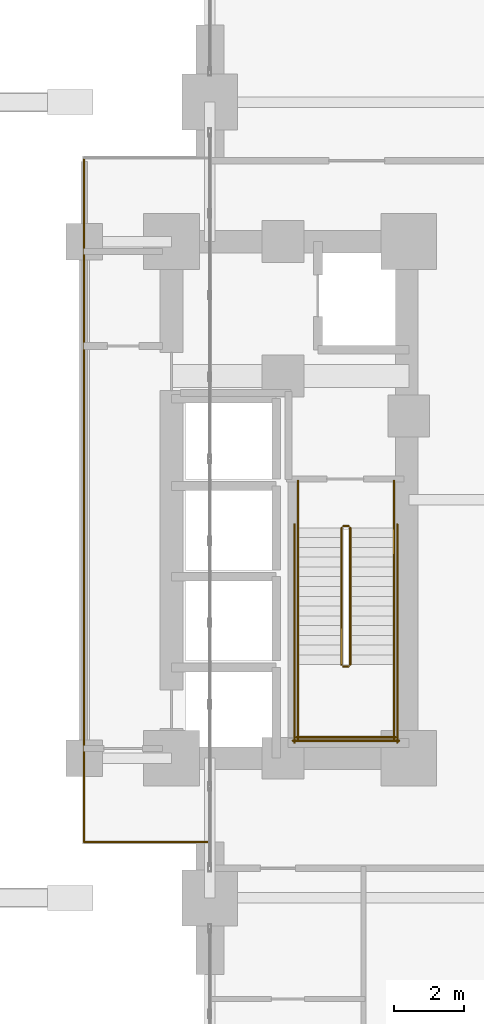
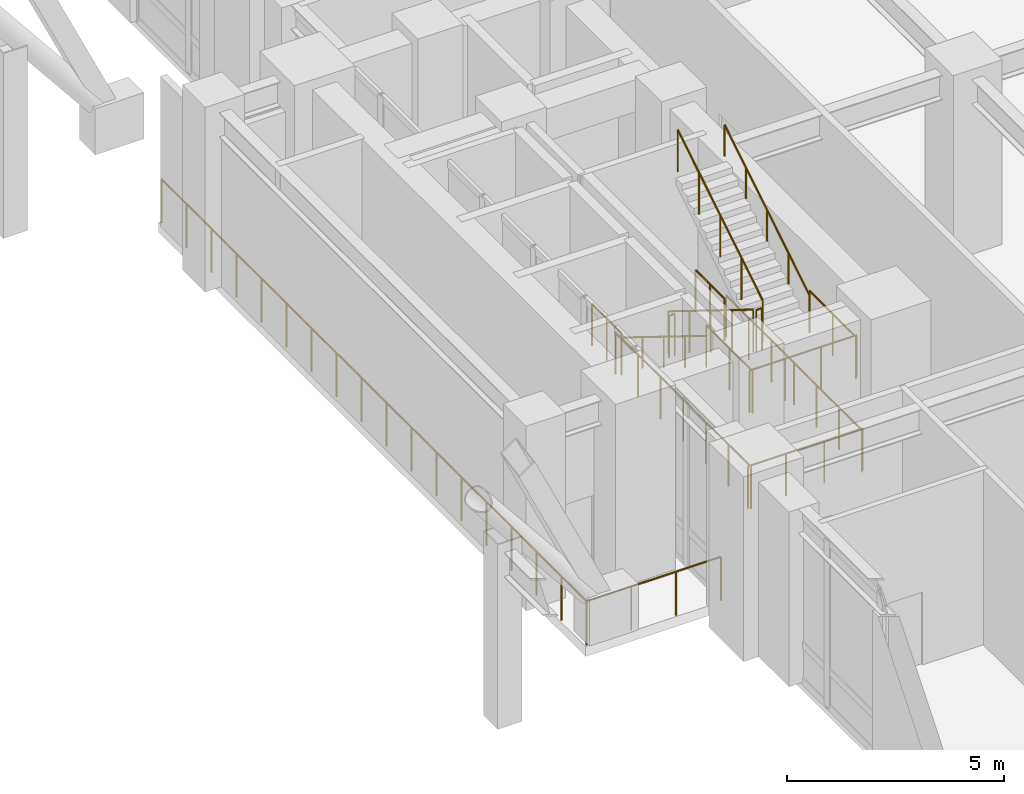
# One storey, part 24 of 26: 16 railings.
"""IFC4 building model written with IfcOpenShell, lengths in metres."""

import ifcopenshell
import ifcopenshell.guid

model = None  # the IFC model being written
_history = None  # IfcOwnerHistory: only IFC2X3 demands one
_inside = {}  # id of a spatial element -> (the spatial element, [elements in it])
_under = {}  # id of a project, library or spatial element -> (it, [spatial elements below it])
_declared = {}  # id of a project -> (the project, [libraries it declares])
_typed = {}  # id of a type object -> (the type object, [elements of that type])
_made_of = {}  # id of a material, layer set ... -> (it, [elements and type objects made of it])


def new_model(schema):
    """Start an empty IFC model of exactly this schema.

    Asked for "IFC4X3", IfcOpenShell would pick the latest addendum, in which some entities
    have other attributes; the version numbers below select the first issue.
    IFC2X3 requires an IfcOwnerHistory on every rooted entity: one is made here for all.
    """
    global model, _history
    if schema == "IFC4X3":
        model = ifcopenshell.file(schema_version=(4, 3, 0, 0))
    else:
        model = ifcopenshell.file(schema=schema)
    _inside.clear()
    _under.clear()
    _declared.clear()
    _typed.clear()
    _made_of.clear()
    _history = None
    if model.schema == "IFC2X3":
        org = make("IfcOrganization", Name="unknown")
        user = make(
            "IfcPersonAndOrganization",
            ThePerson=make("IfcPerson", FamilyName="unknown"),
            TheOrganization=org,
        )
        app = make(
            "IfcApplication",
            ApplicationDeveloper=org,
            Version="unknown",
            ApplicationFullName="unknown",
            ApplicationIdentifier="unknown",
        )
        _history = make(
            "IfcOwnerHistory",
            OwningUser=user,
            OwningApplication=app,
            ChangeAction="ADDED",
            CreationDate=0,
        )
    return model


def make(cls, **values):
    """One entity of the class cls with the attributes given. An attribute that is None is left unset."""
    return model.create_entity(
        cls, **{name: value for name, value in values.items() if value is not None}
    )


def rooted(cls, **values):
    """An entity with a GlobalId (a new one), such as an element, a storey or a relation."""
    return make(cls, GlobalId=ifcopenshell.guid.new(), OwnerHistory=_history, **values)


def si_unit(unit_type, name, prefix=None):
    """IfcSIUnit, for example si_unit("LENGTHUNIT", "METRE", prefix="MILLI")."""
    return make("IfcSIUnit", UnitType=unit_type, Prefix=prefix, Name=name)


def assignment(units):
    """IfcUnitAssignment: the units of a project."""
    return None if units is None else make("IfcUnitAssignment", Units=units)


def point(xyz):
    """IfcCartesianPoint."""
    return None if xyz is None else make("IfcCartesianPoint", Coordinates=xyz)


def direction(xyz):
    """IfcDirection."""
    return None if xyz is None else make("IfcDirection", DirectionRatios=xyz)


def frame(location, z_axis=None, x_axis=None):
    """IfcAxis2Placement3D, a coordinate frame: its origin and axes. An axis left out is left unset."""
    return make(
        "IfcAxis2Placement3D",
        Location=point(location),
        Axis=direction(z_axis),
        RefDirection=direction(x_axis),
    )


def frame_2d(location, x_axis=None):
    """IfcAxis2Placement2D, a coordinate frame in the plane: its origin and x axis."""
    return make(
        "IfcAxis2Placement2D", Location=point(location), RefDirection=direction(x_axis)
    )


def origin():
    """The frame at (0, 0, 0) with its axes left unset."""
    return frame((0.0, 0.0, 0.0))


def origin_2d():
    """The frame at (0, 0) in the plane with its x axis left unset."""
    return frame_2d((0.0, 0.0))


def place(relative_to, where):
    """IfcLocalPlacement: puts the frame where relative to a parent placement (None: the world)."""
    return make(
        "IfcLocalPlacement", PlacementRelTo=relative_to, RelativePlacement=where
    )


def context(
    kind, dimensions, precision=None, world=None, true_north=None, identifier=None
):
    """IfcGeometricRepresentationContext, for example the 3D "Model" context."""
    return make(
        "IfcGeometricRepresentationContext",
        ContextIdentifier=identifier,
        ContextType=kind,
        CoordinateSpaceDimension=dimensions,
        Precision=precision,
        WorldCoordinateSystem=world,
        TrueNorth=true_north,
    )


def subcontext(parent, identifier, kind, view, scale=None):
    """IfcGeometricRepresentationSubContext, for example "Body" below "Model"."""
    return make(
        "IfcGeometricRepresentationSubContext",
        ContextIdentifier=identifier,
        ContextType=kind,
        ParentContext=parent,
        TargetScale=scale,
        TargetView=view,
    )


def project(units=None, contexts=None):
    """IfcProject with its units and contexts."""
    return rooted(
        "IfcProject",
        Name="project",
        RepresentationContexts=contexts,
        UnitsInContext=assignment(units),
    )


def spatial(cls, under=None, at=None, **own):
    """A site, building, storey or space (cls), placed at a placement, below another one or the project."""
    s = rooted(cls, ObjectPlacement=at, **own)
    if under is not None:
        _under.setdefault(under.id(), (under, []))[1].append(s)
    return s


def profile(cls, at=None, kind="AREA", **sizes):
    """A parametric profile (cls). Its sizes go by their IFC names, for example OverallWidth=200.0."""
    return make(cls, ProfileType=kind, Position=at, **sizes)


def circle(**sizes):
    """IfcCircleProfileDef."""
    return profile("IfcCircleProfileDef", **sizes)


def extrude(swept, where, along, depth):
    """IfcExtrudedAreaSolid: the profile swept, set in the frame where, extruded along a direction by depth."""
    return make(
        "IfcExtrudedAreaSolid",
        SweptArea=swept,
        Position=where,
        ExtrudedDirection=direction(along),
        Depth=depth,
    )


def shape(context_of_items, identifier, shape_type, items):
    """IfcShapeRepresentation: the items that make up one representation, for example the "Body"."""
    return make(
        "IfcShapeRepresentation",
        ContextOfItems=context_of_items,
        RepresentationIdentifier=identifier,
        RepresentationType=shape_type,
        Items=items,
    )


def material(Name=None, Category=None):
    """IfcMaterial."""
    return make("IfcMaterial", Name=Name, Category=Category)


def made_of(thing, what):
    """Note that an element or type object is made of a material, layer set ...; save() writes the relation."""
    if what is not None:
        _made_of.setdefault(what.id(), (what, []))[1].append(thing)
    return thing


def type_object(cls, material=None, **own):
    """A type object (cls), such as IfcWallType, which elements share."""
    return made_of(rooted(cls, **own), material)


def element(
    cls,
    number,
    at=None,
    inside=None,
    cuts=None,
    type_object=None,
    material=None,
    context=None,
    identifier="Body",
    shape_type=None,
    held_by="IfcProductDefinitionShape",
    body=None,
    shapes=None,
    **own,
):
    """One element of the class cls, such as IfcWall. Its Tag is "e" and its number.

    at: its placement. inside: the storey or other place that contains it. cuts: it is an
    opening in that element (IfcRelVoidsElement). A single representation is given by context,
    identifier, shape_type and body (its items); several are given by shapes. held_by: the class
    of the entity that holds the representations. save() writes the other relations.
    """
    e = rooted(cls, Tag="e%d" % number, ObjectPlacement=at, **own)
    if body is not None:
        shapes = [shape(context, identifier, shape_type, body)]
    if shapes is not None:
        e.Representation = make(held_by, Representations=shapes)
    if inside is not None:
        _inside.setdefault(inside.id(), (inside, []))[1].append(e)
    if cuts is not None:
        rooted(
            "IfcRelVoidsElement", RelatingBuildingElement=cuts, RelatedOpeningElement=e
        )
    if type_object is not None:
        _typed.setdefault(type_object.id(), (type_object, []))[1].append(e)
    return made_of(e, material)


def aggregate(whole, parts):
    """IfcRelAggregates: a whole, such as a stair, and the parts it consists of."""
    return rooted("IfcRelAggregates", RelatingObject=whole, RelatedObjects=parts)


def save(model, path):
    """Write the relations noted so far, then the file.

    IfcRelAggregates (storeys below a building ...), IfcRelContainedInSpatialStructure (elements
    in a storey), IfcRelDefinesByType, IfcRelAssociatesMaterial and IfcRelDeclares: one each for
    every whole, place, type object, material and project.
    """
    for whole, parts in _under.values():
        aggregate(whole, parts)
    for where, things in _inside.values():
        rooted(
            "IfcRelContainedInSpatialStructure",
            RelatedElements=things,
            RelatingStructure=where,
        )
    for kind, things in _typed.values():
        rooted("IfcRelDefinesByType", RelatedObjects=things, RelatingType=kind)
    for what, things in _made_of.values():
        rooted("IfcRelAssociatesMaterial", RelatedObjects=things, RelatingMaterial=what)
    for by, libraries in _declared.values():
        rooted("IfcRelDeclares", RelatingContext=by, RelatedDefinitions=libraries)
    model.write(path)


model = new_model("IFC4")

# Units and contexts
model_context = context("Model", 3, precision=1e-05, world=origin(), true_north=direction((0.0, 1.0)))
body_context = subcontext(model_context, "Body", "Model", "MODEL_VIEW")
ifc_project = project(units=[si_unit("LENGTHUNIT", "METRE"), si_unit("AREAUNIT", "SQUARE_METRE"), si_unit("VOLUMEUNIT", "CUBIC_METRE"), si_unit("PLANEANGLEUNIT", "RADIAN"), si_unit("MASSUNIT", "GRAM", prefix="KILO")], contexts=[model_context])

# Site, building, storey
site_placement = place(None, origin())
site = spatial("IfcSite", under=ifc_project, at=site_placement, CompositionType="ELEMENT")
building_placement = place(site_placement, origin())
building = spatial("IfcBuilding", under=site, at=building_placement, Name="Voryun Gate Residences", CompositionType="ELEMENT")
storey_placement = place(building_placement, frame((0.0, 0.0, 10.39990234375)))
storey = spatial("IfcBuildingStorey", under=building, at=storey_placement, Name="L02", CompositionType="ELEMENT", Elevation=10.39990234375)

# Railings
ifc_material_1 = material(Name="Painted steel", Category="steel")
railing_type_1 = type_object("IfcRailingType", Name="RAIL_STAIR_GUARD_1200", PredefinedType="GUARDRAIL", material=ifc_material_1)
railing_1_placement = place(storey_placement, frame((17.27490234375, -0.800048828125, 0.17333984375)))
element("IfcRailing", 1, at=railing_1_placement, inside=storey, type_object=railing_type_1, Name="L02 ST-E1 stair guard 1", PredefinedType="GUARDRAIL", context=body_context, shape_type="SweptSolid", body=[
    extrude(circle(Radius=0.02392578125, at=origin_2d()), frame((0.0, 0.0, 1.17578125), z_axis=(0.0, -0.850251603719, 0.526376491091), x_axis=(1.0, 0.0, 0.0)), (0.0, 0.0, 1.0), 4.6103515625),
    extrude(circle(Radius=0.02099609375, at=origin_2d()), origin(), (0.0, 0.0, 1.0), 1.15185546875),
    extrude(circle(Radius=0.02099609375, at=origin_2d()), frame((0.0, -0.97998046875, 0.606689453125)), (0.0, 0.0, 1.0), 1.15185546875),
    extrude(circle(Radius=0.02099609375, at=origin_2d()), frame((0.0, -1.9599609375, 1.21337890625)), (0.0, 0.0, 1.0), 1.15185546875),
    extrude(circle(Radius=0.02099609375, at=origin_2d()), frame((0.0, -2.93994140625, 1.820068359375)), (0.0, 0.0, 1.0), 1.15185546875),
    extrude(circle(Radius=0.02099609375, at=origin_2d()), frame((0.0, -3.919921875, 2.4267578125)), (0.0, 0.0, 1.0), 1.15185546875),
])
railing_2_placement = place(storey_placement, frame((17.324951171875, -4.77001953125, 2.60009765625)))
element("IfcRailing", 2, at=railing_2_placement, inside=storey, type_object=railing_type_1, Name="L02 ST-E1 stair guard 2", PredefinedType="GUARDRAIL", context=body_context, shape_type="SweptSolid", body=[
    extrude(circle(Radius=0.02392578125, at=origin_2d()), frame((0.0, 0.0, 1.17578125), z_axis=(1.0, 0.0, 0.0), x_axis=(0.0, 1.0, 0.0)), (0.0, 0.0, 1.0), 0.150146484375),
    extrude(circle(Radius=0.02099609375, at=origin_2d()), origin(), (0.0, 0.0, 1.0), 1.15185546875),
    extrude(circle(Radius=0.02099609375, at=origin_2d()), frame((0.150146484375, 0.0, 0.0)), (0.0, 0.0, 1.0), 1.15185546875),
])
for number, where, name in (
    (3, (16.02490234375, -4.719970703125, 2.60009765625), "L02 ST-E1 stair guard 3"),
    (4, (18.77490234375, -4.719970703125, 2.60009765625), "L02 ST-E1 stair guard 4"),
):
    element("IfcRailing", number, at=place(storey_placement, frame(where)), inside=storey, type_object=railing_type_1, Name=name, PredefinedType="GUARDRAIL", context=body_context, shape_type="SweptSolid", body=[
        extrude(circle(Radius=0.02392578125, at=origin_2d()), frame((0.0, 0.0, 1.17578125), z_axis=(0.0, -1.0, 0.0), x_axis=(1.0, 0.0, 0.0)), (0.0, 0.0, 1.0), 2.130126953125),
        extrude(circle(Radius=0.02099609375, at=origin_2d()), origin(), (0.0, 0.0, 1.0), 1.15185546875),
        extrude(circle(Radius=0.02099609375, at=origin_2d()), frame((0.0, -1.06494140625, 0.0)), (0.0, 0.0, 1.0), 1.15185546875),
        extrude(circle(Radius=0.02099609375, at=origin_2d()), frame((0.0, -2.130126953125, 0.0)), (0.0, 0.0, 1.0), 1.15185546875),
    ])
railing_3_placement = place(storey_placement, frame((15.97509765625, -6.800048828125, 2.60009765625)))
element("IfcRailing", 5, at=railing_3_placement, inside=storey, type_object=railing_type_1, Name="L02 ST-E1 stair guard 5", PredefinedType="GUARDRAIL", context=body_context, shape_type="SweptSolid", body=[
    extrude(circle(Radius=0.02392578125, at=origin_2d()), frame((0.0, 0.0, 1.17578125), z_axis=(1.0, 0.0, 0.0), x_axis=(0.0, 1.0, 0.0)), (0.0, 0.0, 1.0), 2.849853515625),
    extrude(circle(Radius=0.02099609375, at=origin_2d()), origin(), (0.0, 0.0, 1.0), 1.15185546875),
    extrude(circle(Radius=0.02099609375, at=origin_2d()), frame((0.949951171875, 0.0, 0.0)), (0.0, 0.0, 1.0), 1.15185546875),
    extrude(circle(Radius=0.02099609375, at=origin_2d()), frame((1.89990234375, 0.0, 0.0)), (0.0, 0.0, 1.0), 1.15185546875),
    extrude(circle(Radius=0.02099609375, at=origin_2d()), frame((2.849853515625, 0.0, 0.0)), (0.0, 0.0, 1.0), 1.15185546875),
])
railing_4_placement = place(storey_placement, frame((17.52490234375, -4.719970703125, 2.7734375)))
element("IfcRailing", 6, at=railing_4_placement, inside=storey, type_object=railing_type_1, Name="L02 ST-E1 stair guard 6", PredefinedType="GUARDRAIL", context=body_context, shape_type="SweptSolid", body=[
    extrude(circle(Radius=0.02392578125, at=origin_2d()), frame((0.0, 0.0, 1.17578125), z_axis=(0.0, 0.850251603719, 0.526376491091), x_axis=(-1.0, 0.0, 0.0)), (0.0, 0.0, 1.0), 4.6103515625),
    extrude(circle(Radius=0.02099609375, at=origin_2d()), origin(), (0.0, 0.0, 1.0), 1.15185546875),
    extrude(circle(Radius=0.02099609375, at=origin_2d()), frame((0.0, 0.97998046875, 0.606689453125)), (0.0, 0.0, 1.0), 1.15185546875),
    extrude(circle(Radius=0.02099609375, at=origin_2d()), frame((0.0, 1.9599609375, 1.21337890625)), (0.0, 0.0, 1.0), 1.15185546875),
    extrude(circle(Radius=0.02099609375, at=origin_2d()), frame((0.0, 2.93994140625, 1.820068359375)), (0.0, 0.0, 1.0), 1.15185546875),
    extrude(circle(Radius=0.02099609375, at=origin_2d()), frame((0.0, 3.919921875, 2.4267578125)), (0.0, 0.0, 1.0), 1.15185546875),
])
railing_5_placement = place(storey_placement, frame((17.324951171875, -0.75, 0.0)))
element("IfcRailing", 7, at=railing_5_placement, inside=storey, type_object=railing_type_1, Name="L02 ST-E1 stair guard 7", PredefinedType="GUARDRAIL", context=body_context, shape_type="SweptSolid", body=[
    extrude(circle(Radius=0.02392578125, at=origin_2d()), frame((0.0, 0.0, 1.17578125), z_axis=(1.0, 0.0, 0.0), x_axis=(0.0, 1.0, 0.0)), (0.0, 0.0, 1.0), 0.150146484375),
    extrude(circle(Radius=0.02099609375, at=origin_2d()), origin(), (0.0, 0.0, 1.0), 1.15185546875),
    extrude(circle(Radius=0.02099609375, at=origin_2d()), frame((0.150146484375, 0.0, 0.0)), (0.0, 0.0, 1.0), 1.15185546875),
])
for number, where, name in (
    (8, (16.02490234375, 0.550048828125, 0.0), "L02 ST-E1 stair guard 8"),
    (9, (18.77490234375, 0.550048828125, 0.0), "L02 ST-E1 stair guard 9"),
):
    element("IfcRailing", number, at=place(storey_placement, frame(where)), inside=storey, type_object=railing_type_1, Name=name, PredefinedType="GUARDRAIL", context=body_context, shape_type="SweptSolid", body=[
        extrude(circle(Radius=0.02392578125, at=origin_2d()), frame((0.0, 0.0, 1.17578125), z_axis=(0.0, -1.0, 0.0), x_axis=(1.0, 0.0, 0.0)), (0.0, 0.0, 1.0), 1.35009765625),
        extrude(circle(Radius=0.02099609375, at=origin_2d()), origin(), (0.0, 0.0, 1.0), 1.15185546875),
        extrude(circle(Radius=0.02099609375, at=origin_2d()), frame((0.0, -0.675048828125, 0.0)), (0.0, 0.0, 1.0), 1.15185546875),
        extrude(circle(Radius=0.02099609375, at=origin_2d()), frame((0.0, -1.35009765625, 0.0)), (0.0, 0.0, 1.0), 1.15185546875),
    ])
for number, where, name in (
    (10, (15.925048828125, -0.699951171875, 0.0), "L02 ST-E1 stair guard 10"),
    (11, (18.875, -0.699951171875, 0.0), "L02 ST-E1 stair guard 11"),
):
    element("IfcRailing", number, at=place(storey_placement, frame(where)), inside=storey, type_object=railing_type_1, Name=name, PredefinedType="GUARDRAIL", context=body_context, shape_type="SweptSolid", body=[
        extrude(circle(Radius=0.02392578125, at=origin_2d()), frame((0.0, 0.0, 1.17578125), z_axis=(0.0, -1.0, 0.0), x_axis=(1.0, 0.0, 0.0)), (0.0, 0.0, 1.0), 6.25),
        extrude(circle(Radius=0.02099609375, at=origin_2d()), origin(), (0.0, 0.0, 1.0), 1.15185546875),
        extrude(circle(Radius=0.02099609375, at=origin_2d()), frame((0.0, -1.041748046875, 0.0)), (0.0, 0.0, 1.0), 1.15185546875),
        extrude(circle(Radius=0.02099609375, at=origin_2d()), frame((0.0, -2.083251953125, 0.0)), (0.0, 0.0, 1.0), 1.15185546875),
        extrude(circle(Radius=0.02099609375, at=origin_2d()), frame((0.0, -3.125, 0.0)), (0.0, 0.0, 1.0), 1.15185546875),
        extrude(circle(Radius=0.02099609375, at=origin_2d()), frame((0.0, -4.166748046875, 0.0)), (0.0, 0.0, 1.0), 1.15185546875),
        extrude(circle(Radius=0.02099609375, at=origin_2d()), frame((0.0, -5.208251953125, 0.0)), (0.0, 0.0, 1.0), 1.15185546875),
        extrude(circle(Radius=0.02099609375, at=origin_2d()), frame((0.0, -6.25, 0.0)), (0.0, 0.0, 1.0), 1.15185546875),
    ])
railing_6_placement = place(storey_placement, frame((15.875, -6.89990234375, 0.0)))
element("IfcRailing", 12, at=railing_6_placement, inside=storey, type_object=railing_type_1, Name="L02 ST-E1 stair guard 12", PredefinedType="GUARDRAIL", context=body_context, shape_type="SweptSolid", body=[
    extrude(circle(Radius=0.02392578125, at=origin_2d()), frame((0.0, 0.0, 1.17578125), z_axis=(1.0, 0.0, 0.0), x_axis=(0.0, 1.0, 0.0)), (0.0, 0.0, 1.0), 3.050048828125),
    extrude(circle(Radius=0.02099609375, at=origin_2d()), origin(), (0.0, 0.0, 1.0), 1.15185546875),
    extrude(circle(Radius=0.02099609375, at=origin_2d()), frame((1.0166015625, 0.0, 0.0)), (0.0, 0.0, 1.0), 1.15185546875),
    extrude(circle(Radius=0.02099609375, at=origin_2d()), frame((2.033447265625, 0.0, 0.0)), (0.0, 0.0, 1.0), 1.15185546875),
    extrude(circle(Radius=0.02099609375, at=origin_2d()), frame((3.050048828125, 0.0, 0.0)), (0.0, 0.0, 1.0), 1.15185546875),
])
ifc_material_2 = material(Name="Painted steel", Category="steel")
railing_type_2 = type_object("IfcRailingType", Name="RAIL_STAIR_HANDRAIL_900", PredefinedType="HANDRAIL", material=ifc_material_2)
railing_7_placement = place(storey_placement, frame((16.02490234375, -0.800048828125, 0.17333984375)))
element("IfcRailing", 13, at=railing_7_placement, inside=storey, type_object=railing_type_2, Name="L02 ST-E1 stair handrail 1", PredefinedType="HANDRAIL", context=body_context, shape_type="SweptSolid", body=[
    extrude(circle(Radius=0.02392578125, at=origin_2d()), frame((0.0, 0.0, 0.8759765625), z_axis=(0.0, -0.850251603719, 0.526376491091), x_axis=(1.0, 0.0, 0.0)), (0.0, 0.0, 1.0), 4.6103515625),
    extrude(circle(Radius=0.02099609375, at=origin_2d()), origin(), (0.0, 0.0, 1.0), 0.851806640625),
    extrude(circle(Radius=0.02099609375, at=origin_2d()), frame((0.0, -0.97998046875, 0.606689453125)), (0.0, 0.0, 1.0), 0.851806640625),
    extrude(circle(Radius=0.02099609375, at=origin_2d()), frame((0.0, -1.9599609375, 1.21337890625)), (0.0, 0.0, 1.0), 0.851806640625),
    extrude(circle(Radius=0.02099609375, at=origin_2d()), frame((0.0, -2.93994140625, 1.820068359375)), (0.0, 0.0, 1.0), 0.851806640625),
    extrude(circle(Radius=0.02099609375, at=origin_2d()), frame((0.0, -3.919921875, 2.4267578125)), (0.0, 0.0, 1.0), 0.851806640625),
])
railing_8_placement = place(storey_placement, frame((18.77490234375, -4.719970703125, 2.7734375)))
element("IfcRailing", 14, at=railing_8_placement, inside=storey, type_object=railing_type_2, Name="L02 ST-E1 stair handrail 2", PredefinedType="HANDRAIL", context=body_context, shape_type="SweptSolid", body=[
    extrude(circle(Radius=0.02392578125, at=origin_2d()), frame((0.0, 0.0, 0.8759765625), z_axis=(0.0, 0.850251603719, 0.526376491091), x_axis=(-1.0, 0.0, 0.0)), (0.0, 0.0, 1.0), 4.6103515625),
    extrude(circle(Radius=0.02099609375, at=origin_2d()), origin(), (0.0, 0.0, 1.0), 0.851806640625),
    extrude(circle(Radius=0.02099609375, at=origin_2d()), frame((0.0, 0.97998046875, 0.606689453125)), (0.0, 0.0, 1.0), 0.851806640625),
    extrude(circle(Radius=0.02099609375, at=origin_2d()), frame((0.0, 1.9599609375, 1.21337890625)), (0.0, 0.0, 1.0), 0.851806640625),
    extrude(circle(Radius=0.02099609375, at=origin_2d()), frame((0.0, 2.93994140625, 1.820068359375)), (0.0, 0.0, 1.0), 0.851806640625),
    extrude(circle(Radius=0.02099609375, at=origin_2d()), frame((0.0, 3.919921875, 2.4267578125)), (0.0, 0.0, 1.0), 0.851806640625),
])
ifc_material_3 = material(Name="Anodised aluminium", Category="aluminium")
railing_type_3 = type_object("IfcRailingType", Name="RAIL_TERRACE_GUARD_1250", PredefinedType="GUARDRAIL", material=ifc_material_3)
railing_9_placement = place(storey_placement, frame((13.47998046875, -9.800048828125, 0.0)))
element("IfcRailing", 15, at=railing_9_placement, inside=storey, type_object=railing_type_3, Name="Terrace guard RL-L02-ARCH-E-01", PredefinedType="GUARDRAIL", context=body_context, shape_type="SweptSolid", body=[
    extrude(circle(Radius=0.02392578125, at=origin_2d()), frame((0.0, 0.0, 1.22607421875), z_axis=(-1.0, 0.0, 0.0), x_axis=(0.0, -1.0, 0.0)), (0.0, 0.0, 1.0), 3.580078125),
    extrude(circle(Radius=0.02099609375, at=origin_2d()), origin(), (0.0, 0.0, 1.0), 1.201904296875),
    extrude(circle(Radius=0.02099609375, at=origin_2d()), frame((-1.193359375, 0.0, 0.0)), (0.0, 0.0, 1.0), 1.201904296875),
    extrude(circle(Radius=0.02099609375, at=origin_2d()), frame((-2.38671875, 0.0, 0.0)), (0.0, 0.0, 1.0), 1.201904296875),
    extrude(circle(Radius=0.02099609375, at=origin_2d()), frame((-3.580078125, 0.0, 0.0)), (0.0, 0.0, 1.0), 1.201904296875),
])
railing_10_placement = place(storey_placement, frame((9.89990234375, -9.800048828125, 0.0)))
element("IfcRailing", 16, at=railing_10_placement, inside=storey, type_object=railing_type_3, Name="Terrace guard RL-L02-ARCH-E-02", PredefinedType="GUARDRAIL", context=body_context, shape_type="SweptSolid", body=[
    extrude(circle(Radius=0.02392578125, at=origin_2d()), frame((0.0, 0.0, 1.22607421875), z_axis=(0.0, 1.0, 0.0), x_axis=(-1.0, 0.0, 0.0)), (0.0, 0.0, 1.0), 19.60009765625),
    extrude(circle(Radius=0.02099609375, at=origin_2d()), origin(), (0.0, 0.0, 1.0), 1.201904296875),
    extrude(circle(Radius=0.02099609375, at=origin_2d()), frame((0.0, 1.15283203125, 0.0)), (0.0, 0.0, 1.0), 1.201904296875),
    extrude(circle(Radius=0.02099609375, at=origin_2d()), frame((0.0, 2.305908203125, 0.0)), (0.0, 0.0, 1.0), 1.201904296875),
    extrude(circle(Radius=0.02099609375, at=origin_2d()), frame((0.0, 3.458740234375, 0.0)), (0.0, 0.0, 1.0), 1.201904296875),
    extrude(circle(Radius=0.02099609375, at=origin_2d()), frame((0.0, 4.61181640625, 0.0)), (0.0, 0.0, 1.0), 1.201904296875),
    extrude(circle(Radius=0.02099609375, at=origin_2d()), frame((0.0, 5.7646484375, 0.0)), (0.0, 0.0, 1.0), 1.201904296875),
    extrude(circle(Radius=0.02099609375, at=origin_2d()), frame((0.0, 6.917724609375, 0.0)), (0.0, 0.0, 1.0), 1.201904296875),
    extrude(circle(Radius=0.02099609375, at=origin_2d()), frame((0.0, 8.070556640625, 0.0)), (0.0, 0.0, 1.0), 1.201904296875),
    extrude(circle(Radius=0.02099609375, at=origin_2d()), frame((0.0, 9.2236328125, 0.0)), (0.0, 0.0, 1.0), 1.201904296875),
    extrude(circle(Radius=0.02099609375, at=origin_2d()), frame((0.0, 10.37646484375, 0.0)), (0.0, 0.0, 1.0), 1.201904296875),
    extrude(circle(Radius=0.02099609375, at=origin_2d()), frame((0.0, 11.529541015625, 0.0)), (0.0, 0.0, 1.0), 1.201904296875),
    extrude(circle(Radius=0.02099609375, at=origin_2d()), frame((0.0, 12.682373046875, 0.0)), (0.0, 0.0, 1.0), 1.201904296875),
    extrude(circle(Radius=0.02099609375, at=origin_2d()), frame((0.0, 13.83544921875, 0.0)), (0.0, 0.0, 1.0), 1.201904296875),
    extrude(circle(Radius=0.02099609375, at=origin_2d()), frame((0.0, 14.98828125, 0.0)), (0.0, 0.0, 1.0), 1.201904296875),
    extrude(circle(Radius=0.02099609375, at=origin_2d()), frame((0.0, 16.141357421875, 0.0)), (0.0, 0.0, 1.0), 1.201904296875),
    extrude(circle(Radius=0.02099609375, at=origin_2d()), frame((0.0, 17.294189453125, 0.0)), (0.0, 0.0, 1.0), 1.201904296875),
    extrude(circle(Radius=0.02099609375, at=origin_2d()), frame((0.0, 18.447265625, 0.0)), (0.0, 0.0, 1.0), 1.201904296875),
    extrude(circle(Radius=0.02099609375, at=origin_2d()), frame((0.0, 19.60009765625, 0.0)), (0.0, 0.0, 1.0), 1.201904296875),
])

save(model, "model.ifc")
